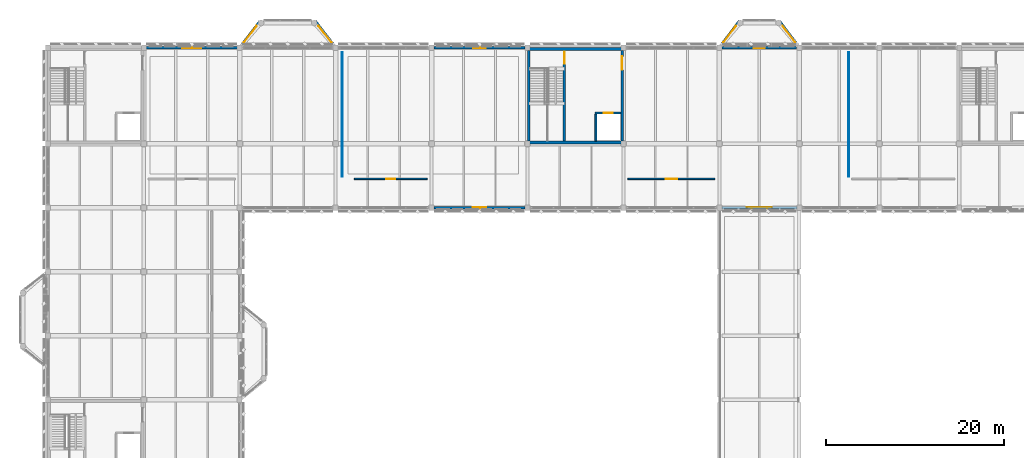
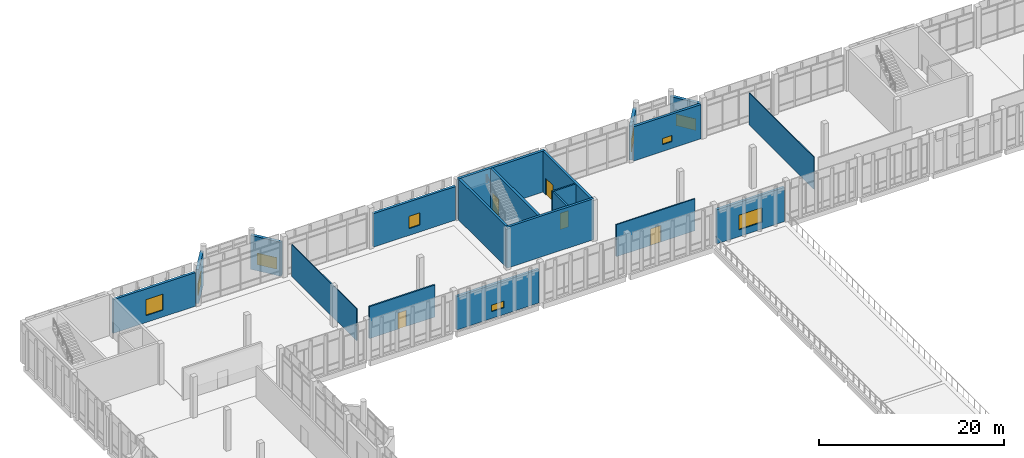
# One storey, part 159 of 180: 20 walls, 9 windows, 5 doors, 14 openings.
"""IFC4 building model written with IfcOpenShell, lengths in metres."""

from ifc_helpers import new_model, si_unit, direction, frame, frame_2d, origin, place, context, subcontext, project, spatial, rectangle, extrude, material, layer, layer_set, type_object, element, fill, save


model = new_model("IFC4")

# Units and contexts
model_context = context("Model", 3, precision=1e-05, world=origin(), true_north=direction((0.0, 1.0)))
body_context = subcontext(model_context, "Body", "Model", "MODEL_VIEW")
ifc_project = project(units=[si_unit("LENGTHUNIT", "METRE"), si_unit("AREAUNIT", "SQUARE_METRE"), si_unit("VOLUMEUNIT", "CUBIC_METRE"), si_unit("PLANEANGLEUNIT", "RADIAN"), si_unit("MASSUNIT", "GRAM", prefix="KILO")], contexts=[model_context])

# Site, building, storey
site_placement = place(None, origin())
site = spatial("IfcSite", under=ifc_project, at=site_placement, CompositionType="ELEMENT")
building_placement = place(site_placement, origin())
building = spatial("IfcBuilding", under=site, at=building_placement, Name="Lusvemor Sports Hall", CompositionType="ELEMENT")
storey_placement = place(building_placement, frame((0.0, 0.0, 5.39990234375)))
storey = spatial("IfcBuildingStorey", under=building, at=storey_placement, Name="L01", CompositionType="ELEMENT", Elevation=5.39990234375)

# Wall, opening, window
ifc_material_1 = material(Name="Emerald polychrome glazed ceramic cladding on Concrete C40/50 backing", Category="concrete")
ifc_layer_1 = layer(ifc_material_1, 0.364990234375)
ifc_layer_set_1 = layer_set([ifc_layer_1], Name="Emerald polychrome glazed ceramic cladding on Concrete C40/50 backing")
wall_type_1 = type_object("IfcWallType", Name="EW_WAVE_CER_365", PredefinedType="STANDARD", material=ifc_layer_set_1)
wall_1_placement = place(storey_placement, frame((21.746826171875, 115.389892578125, 0.0), z_axis=(0.0, 0.0, 1.0), x_axis=(0.612206385164, 0.790698009334, 0.0)))
wall_1 = element("IfcWall", 1, at=wall_1_placement, inside=storey, type_object=wall_type_1, Name="Art Nouveau Bow Wall EW-BOW-N1-L01-1", PredefinedType="STANDARD", context=body_context, shape_type="SweptSolid", body=[
    extrude(rectangle(XDim=3.560302734375, YDim=0.364990234375, at=frame_2d((1.7802734375, 0.0))), origin(), (0.0, 0.0, 1.0), 4.47998046875),
])
opening_1_placement = place(wall_1_placement, frame((0.56005859375, 0.0, 0.699951171875)))
opening_1 = element("IfcOpeningElement", 2, at=opening_1_placement, cuts=wall_1, Name="Opening WN21", PredefinedType="OPENING", context=body_context, shape_type="SweptSolid", body=[
    extrude(rectangle(XDim=2.320068359375, YDim=1.52001953125, at=frame_2d((1.16015625, 0.760009765625))), frame((0.0, 0.1826171875, 0.0), z_axis=(0.0, -1.0, 0.0), x_axis=(1.0, 0.0, 0.0)), (0.0, 0.0, 1.0), 0.364990234375),
])
ifc_material_2 = material(Name="Solar-control laminated double glazing", Category="glass")
window_type_1 = type_object("IfcWindowType", Name="WIN_21", PartitioningType="SINGLE_PANEL", PredefinedType="WINDOW", material=ifc_material_2)
window_1_placement = place(opening_1_placement, origin())
window_1 = element("IfcWindow", 3, at=window_1_placement, inside=storey, type_object=window_type_1, Name="Art Nouveau Bow Window BOW-N1 L01-1", OverallHeight=1.52001953125, OverallWidth=2.320068359375, PartitioningType="SINGLE_PANEL", PredefinedType="WINDOW", context=body_context, shape_type="SweptSolid", body=[
    extrude(rectangle(XDim=2.320068359375, YDim=1.52001953125, at=frame_2d((1.16015625, 0.760009765625))), frame((0.0, 0.030029296875, 0.0), z_axis=(0.0, -1.0, 0.0), x_axis=(1.0, 0.0, 0.0)), (0.0, 0.0, 1.0), 0.06005859375),
])
fill(opening_1, window_1)

wall_2_placement = place(storey_placement, frame((30.073486328125, 118.205078125, 0.0), z_axis=(0.0, 0.0, 1.0), x_axis=(0.612206385164, -0.790698009334, 0.0)))
wall_2 = element("IfcWall", 4, at=wall_2_placement, inside=storey, type_object=wall_type_1, Name="Art Nouveau Bow Wall EW-BOW-N1-L01-3", PredefinedType="STANDARD", context=body_context, shape_type="SweptSolid", body=[
    extrude(rectangle(XDim=3.560302734375, YDim=0.364990234375, at=frame_2d((1.7802734375, 0.0))), origin(), (0.0, 0.0, 1.0), 4.47998046875),
])
opening_2_placement = place(wall_2_placement, frame((0.679931640625, 0.0, 0.699951171875)))
opening_2 = element("IfcOpeningElement", 5, at=opening_2_placement, cuts=wall_2, Name="Opening WN21", PredefinedType="OPENING", context=body_context, shape_type="SweptSolid", body=[
    extrude(rectangle(XDim=2.320068359375, YDim=1.52001953125, at=frame_2d((1.16015625, 0.760009765625))), frame((0.0, 0.1826171875, 0.0), z_axis=(0.0, -1.0, 0.0), x_axis=(1.0, 0.0, 0.0)), (0.0, 0.0, 1.0), 0.364990234375),
])
window_2_placement = place(opening_2_placement, origin())
window_2 = element("IfcWindow", 6, at=window_2_placement, inside=storey, type_object=window_type_1, Name="Art Nouveau Bow Window BOW-N1 L01-3", OverallHeight=1.52001953125, OverallWidth=2.320068359375, PartitioningType="SINGLE_PANEL", PredefinedType="WINDOW", context=body_context, shape_type="SweptSolid", body=[
    extrude(rectangle(XDim=2.320068359375, YDim=1.52001953125, at=frame_2d((1.16015625, 0.760009765625))), frame((0.0, 0.030029296875, 0.0), z_axis=(0.0, -1.0, 0.0), x_axis=(1.0, 0.0, 0.0)), (0.0, 0.0, 1.0), 0.06005859375),
])
fill(opening_2, window_2)

wall_3_placement = place(storey_placement, frame((75.74462890625, 115.3916015625, 0.0), z_axis=(0.0, 0.0, 1.0), x_axis=(0.60248019286, 0.798133834148, 0.0)))
wall_3 = element("IfcWall", 7, at=wall_3_placement, inside=storey, type_object=wall_type_1, Name="Art Nouveau Bow Wall EW-BOW-N2-L01-1", PredefinedType="STANDARD", context=body_context, shape_type="SweptSolid", body=[
    extrude(rectangle(XDim=3.52392578125, YDim=0.364990234375, at=frame_2d((1.761962890625, 0.0))), origin(), (0.0, 0.0, 1.0), 4.47998046875),
])
opening_3_placement = place(wall_3_placement, frame((0.5419921875, 0.0, 0.699951171875)))
opening_3 = element("IfcOpeningElement", 8, at=opening_3_placement, cuts=wall_3, Name="Opening WN21", PredefinedType="OPENING", context=body_context, shape_type="SweptSolid", body=[
    extrude(rectangle(XDim=2.320068359375, YDim=1.52001953125, at=frame_2d((1.16015625, 0.760009765625))), frame((0.0, 0.1826171875, 0.0), z_axis=(0.0, -1.0, 0.0), x_axis=(1.0, 0.0, 0.0)), (0.0, 0.0, 1.0), 0.364990234375),
])
window_3_placement = place(opening_3_placement, origin())
window_3 = element("IfcWindow", 9, at=window_3_placement, inside=storey, type_object=window_type_1, Name="Art Nouveau Bow Window BOW-N2 L01-1", OverallHeight=1.52001953125, OverallWidth=2.320068359375, PartitioningType="SINGLE_PANEL", PredefinedType="WINDOW", context=body_context, shape_type="SweptSolid", body=[
    extrude(rectangle(XDim=2.320068359375, YDim=1.52001953125, at=frame_2d((1.16015625, 0.760009765625))), frame((0.0, 0.030029296875, 0.0), z_axis=(0.0, -1.0, 0.0), x_axis=(1.0, 0.0, 0.0)), (0.0, 0.0, 1.0), 0.06005859375),
])
fill(opening_3, window_3)

wall_4_placement = place(storey_placement, frame((82.332275390625, 118.2041015625, 0.0), z_axis=(0.0, 0.0, 1.0), x_axis=(0.60248019286, -0.798133834148, 0.0)))
wall_4 = element("IfcWall", 10, at=wall_4_placement, inside=storey, type_object=wall_type_1, Name="Art Nouveau Bow Wall EW-BOW-N2-L01-3", PredefinedType="STANDARD", context=body_context, shape_type="SweptSolid", body=[
    extrude(rectangle(XDim=3.52392578125, YDim=0.364990234375, at=frame_2d((1.761962890625, 0.0))), origin(), (0.0, 0.0, 1.0), 4.47998046875),
])
opening_4_placement = place(wall_4_placement, frame((0.662109375, 0.0, 0.699951171875)))
opening_4 = element("IfcOpeningElement", 11, at=opening_4_placement, cuts=wall_4, Name="Opening WN21", PredefinedType="OPENING", context=body_context, shape_type="SweptSolid", body=[
    extrude(rectangle(XDim=2.320068359375, YDim=1.52001953125, at=frame_2d((1.16015625, 0.760009765625))), frame((0.0, 0.1826171875, 0.0), z_axis=(0.0, -1.0, 0.0), x_axis=(1.0, 0.0, 0.0)), (0.0, 0.0, 1.0), 0.364990234375),
])
window_4_placement = place(opening_4_placement, origin())
window_4 = element("IfcWindow", 12, at=window_4_placement, inside=storey, type_object=window_type_1, Name="Art Nouveau Bow Window BOW-N2 L01-3", OverallHeight=1.52001953125, OverallWidth=2.320068359375, PartitioningType="SINGLE_PANEL", PredefinedType="WINDOW", context=body_context, shape_type="SweptSolid", body=[
    extrude(rectangle(XDim=2.320068359375, YDim=1.52001953125, at=frame_2d((1.16015625, 0.760009765625))), frame((0.0, 0.030029296875, 0.0), z_axis=(0.0, -1.0, 0.0), x_axis=(1.0, 0.0, 0.0)), (0.0, 0.0, 1.0), 0.06005859375),
])
fill(opening_4, window_4)

ifc_material_3 = material(Name="Warm terracotta Art Nouveau ceramic cladding on Concrete C40/50 backing", Category="masonry")
ifc_layer_2 = layer(ifc_material_3, 0.31494140625)
ifc_layer_set_2 = layer_set([ifc_layer_2], Name="Warm terracotta Art Nouveau ceramic cladding on Concrete C40/50 backing")
wall_type_2 = type_object("IfcWallType", Name="EW_WING_CAV_315", PredefinedType="STANDARD", material=ifc_layer_set_2)
wall_5_placement = place(storey_placement, frame((11.075927734375, 115.199951171875, 0.0), z_axis=(0.0, 0.0, 1.0), x_axis=(1.0, 0.0, 0.0)))
wall_5 = element("IfcWall", 13, at=wall_5_placement, inside=storey, type_object=wall_type_2, Name="Exterior Wall EW-L01-N-1-1", PredefinedType="STANDARD", context=body_context, shape_type="SweptSolid", body=[
    extrude(rectangle(XDim=10.248046875, YDim=0.31494140625, at=frame_2d((5.1240234375, 0.0))), origin(), (0.0, 0.0, 1.0), 4.425048828125),
])
opening_5_placement = place(wall_5_placement, frame((4.049072265625, 0.0, 0.89990234375)))
opening_5 = element("IfcOpeningElement", 14, at=opening_5_placement, cuts=wall_5, Name="Opening WN09", PredefinedType="OPENING", context=body_context, shape_type="SweptSolid", body=[
    extrude(rectangle(XDim=2.14990234375, YDim=2.1201171875, at=frame_2d((1.074951171875, 1.06005859375))), frame((0.0, 0.157470703125, 0.0), z_axis=(0.0, -1.0, 0.0), x_axis=(1.0, 0.0, 0.0)), (0.0, 0.0, 1.0), 0.31494140625),
])
ifc_material_4 = material(Name="Solar-control laminated double glazing", Category="glass")
window_type_2 = type_object("IfcWindowType", Name="WIN_09", PartitioningType="SINGLE_PANEL", PredefinedType="WINDOW", material=ifc_material_4)
window_5_placement = place(opening_5_placement, origin())
window_5 = element("IfcWindow", 15, at=window_5_placement, inside=storey, type_object=window_type_2, Name="Wing Window L01-N-1-1", OverallHeight=2.1201171875, OverallWidth=2.14990234375, PartitioningType="SINGLE_PANEL", PredefinedType="WINDOW", context=body_context, shape_type="SweptSolid", body=[
    extrude(rectangle(XDim=2.14990234375, YDim=2.1201171875, at=frame_2d((1.074951171875, 1.06005859375))), frame((0.0, 0.030029296875, 0.0), z_axis=(0.0, -1.0, 0.0), x_axis=(1.0, 0.0, 0.0)), (0.0, 0.0, 1.0), 0.06005859375),
])
fill(opening_5, window_5)

wall_6_placement = place(storey_placement, frame((43.47607421875, 115.199951171875, 0.0), z_axis=(0.0, 0.0, 1.0), x_axis=(1.0, 0.0, 0.0)))
wall_6 = element("IfcWall", 16, at=wall_6_placement, inside=storey, type_object=wall_type_2, Name="Exterior Wall EW-L01-N-1-4", PredefinedType="STANDARD", context=body_context, shape_type="SweptSolid", body=[
    extrude(rectangle(XDim=10.248046875, YDim=0.31494140625, at=frame_2d((5.1240234375, 0.0))), origin(), (0.0, 0.0, 1.0), 4.425048828125),
])
opening_6_placement = place(wall_6_placement, frame((4.4140625, 0.0, 0.89990234375)))
opening_6 = element("IfcOpeningElement", 17, at=opening_6_placement, cuts=wall_6, Name="Opening WN12", PredefinedType="OPENING", context=body_context, shape_type="SweptSolid", body=[
    extrude(rectangle(XDim=1.419921875, YDim=1.6201171875, at=frame_2d((0.7099609375, 0.81005859375))), frame((0.0, 0.157470703125, 0.0), z_axis=(0.0, -1.0, 0.0), x_axis=(1.0, 0.0, 0.0)), (0.0, 0.0, 1.0), 0.31494140625),
])
ifc_material_5 = material(Name="Solar-control laminated double glazing", Category="glass")
window_type_3 = type_object("IfcWindowType", Name="WIN_12", PartitioningType="SINGLE_PANEL", PredefinedType="WINDOW", material=ifc_material_5)
window_6_placement = place(opening_6_placement, origin())
window_6 = element("IfcWindow", 18, at=window_6_placement, inside=storey, type_object=window_type_3, Name="Wing Window L01-N-1-4", OverallHeight=1.6201171875, OverallWidth=1.419921875, PartitioningType="SINGLE_PANEL", PredefinedType="WINDOW", context=body_context, shape_type="SweptSolid", body=[
    extrude(rectangle(XDim=1.419921875, YDim=1.6201171875, at=frame_2d((0.7099609375, 0.81005859375))), frame((0.0, 0.030029296875, 0.0), z_axis=(0.0, -1.0, 0.0), x_axis=(1.0, 0.0, 0.0)), (0.0, 0.0, 1.0), 0.06005859375),
])
fill(opening_6, window_6)

wall_7_placement = place(storey_placement, frame((75.89990234375, 115.199951171875, 0.0), z_axis=(0.0, 0.0, 1.0), x_axis=(1.0, 0.0, 0.0)))
wall_7 = element("IfcWall", 19, at=wall_7_placement, inside=storey, type_object=wall_type_2, Name="Exterior Wall EW-L01-N-1-7", PredefinedType="STANDARD", context=body_context, shape_type="SweptSolid", body=[
    extrude(rectangle(XDim=8.400146484375, YDim=0.31494140625, at=frame_2d((4.2001953125, 0.0))), origin(), (0.0, 0.0, 1.0), 4.51513671875),
])
opening_7_placement = place(wall_7_placement, frame((3.580078125, 0.0, 0.89990234375)))
opening_7 = element("IfcOpeningElement", 20, at=opening_7_placement, cuts=wall_7, Name="Opening WN15", PredefinedType="OPENING", context=body_context, shape_type="SweptSolid", body=[
    extrude(rectangle(XDim=1.239990234375, YDim=0.820068359375, at=frame_2d((0.6201171875, 0.41015625))), frame((0.0, 0.157470703125, 0.0), z_axis=(0.0, -1.0, 0.0), x_axis=(1.0, 0.0, 0.0)), (0.0, 0.0, 1.0), 0.31494140625),
])
ifc_material_6 = material(Name="Solar-control laminated double glazing", Category="glass")
window_type_4 = type_object("IfcWindowType", Name="WIN_15", PartitioningType="SINGLE_PANEL", PredefinedType="WINDOW", material=ifc_material_6)
window_7_placement = place(opening_7_placement, origin())
window_7 = element("IfcWindow", 21, at=window_7_placement, inside=storey, type_object=window_type_4, Name="Wing Window L01-N-1-7", OverallHeight=0.820068359375, OverallWidth=1.239990234375, PartitioningType="SINGLE_PANEL", PredefinedType="WINDOW", context=body_context, shape_type="SweptSolid", body=[
    extrude(rectangle(XDim=1.239990234375, YDim=0.820068359375, at=frame_2d((0.6201171875, 0.41015625))), frame((0.0, 0.030029296875, 0.0), z_axis=(0.0, -1.0, 0.0), x_axis=(1.0, 0.0, 0.0)), (0.0, 0.0, 1.0), 0.06005859375),
])
fill(opening_7, window_7)

wall_8_placement = place(storey_placement, frame((53.72412109375, 97.199951171875, 0.0), z_axis=(0.0, 0.0, 1.0), x_axis=(-1.0, 0.0, 0.0)))
wall_8 = element("IfcWall", 22, at=wall_8_placement, inside=storey, type_object=wall_type_2, Name="Exterior Wall EW-L01-S-3-2", PredefinedType="STANDARD", context=body_context, shape_type="SweptSolid", body=[
    extrude(rectangle(XDim=10.248046875, YDim=0.31494140625, at=frame_2d((5.1240234375, 0.0))), origin(), (0.0, 0.0, 1.0), 4.425048828125),
])
opening_8_placement = place(wall_8_placement, frame((4.35400390625, 0.0, 0.89990234375)))
opening_8 = element("IfcOpeningElement", 23, at=opening_8_placement, cuts=wall_8, Name="Opening WN14", PredefinedType="OPENING", context=body_context, shape_type="SweptSolid", body=[
    extrude(rectangle(XDim=1.5400390625, YDim=0.860107421875, at=frame_2d((0.77001953125, 0.43017578125))), frame((0.0, 0.157470703125, 0.0), z_axis=(0.0, -1.0, 0.0), x_axis=(1.0, 0.0, 0.0)), (0.0, 0.0, 1.0), 0.31494140625),
])
ifc_material_7 = material(Name="Solar-control laminated double glazing", Category="glass")
window_type_5 = type_object("IfcWindowType", Name="WIN_14", PartitioningType="SINGLE_PANEL", PredefinedType="WINDOW", material=ifc_material_7)
window_8_placement = place(opening_8_placement, origin())
window_8 = element("IfcWindow", 24, at=window_8_placement, inside=storey, type_object=window_type_5, Name="Wing Window L01-S-3-2", OverallHeight=0.860107421875, OverallWidth=1.5400390625, PartitioningType="SINGLE_PANEL", PredefinedType="WINDOW", context=body_context, shape_type="SweptSolid", body=[
    extrude(rectangle(XDim=1.5400390625, YDim=0.860107421875, at=frame_2d((0.77001953125, 0.43017578125))), frame((0.0, 0.030029296875, 0.0), z_axis=(0.0, -1.0, 0.0), x_axis=(1.0, 0.0, 0.0)), (0.0, 0.0, 1.0), 0.06005859375),
])
fill(opening_8, window_8)

wall_9_placement = place(storey_placement, frame((84.323974609375, 97.199951171875, 0.0), z_axis=(0.0, 0.0, 1.0), x_axis=(-1.0, 0.0, 0.0)))
wall_9 = element("IfcWall", 25, at=wall_9_placement, inside=storey, type_object=wall_type_2, Name="Exterior Wall EW-L01-S-3-5", PredefinedType="STANDARD", context=body_context, shape_type="SweptSolid", body=[
    extrude(rectangle(XDim=8.447998046875, YDim=0.31494140625, at=frame_2d((4.22412109375, 0.0))), origin(), (0.0, 0.0, 1.0), 4.51513671875),
])
opening_9_placement = place(wall_9_placement, frame((2.803955078125, 0.0, 0.89990234375)))
opening_9 = element("IfcOpeningElement", 26, at=opening_9_placement, cuts=wall_9, Name="Opening WN17", PredefinedType="OPENING", context=body_context, shape_type="SweptSolid", body=[
    extrude(rectangle(XDim=2.840087890625, YDim=1.919921875, at=frame_2d((1.419921875, 0.9599609375))), frame((0.0, 0.157470703125, 0.0), z_axis=(0.0, -1.0, 0.0), x_axis=(1.0, 0.0, 0.0)), (0.0, 0.0, 1.0), 0.31494140625),
])
ifc_material_8 = material(Name="Solar-control laminated double glazing", Category="glass")
window_type_6 = type_object("IfcWindowType", Name="WIN_17", PartitioningType="SINGLE_PANEL", PredefinedType="WINDOW", material=ifc_material_8)
window_9_placement = place(opening_9_placement, origin())
window_9 = element("IfcWindow", 27, at=window_9_placement, inside=storey, type_object=window_type_6, Name="Wing Window L01-S-3-5", OverallHeight=1.919921875, OverallWidth=2.840087890625, PartitioningType="SINGLE_PANEL", PredefinedType="WINDOW", context=body_context, shape_type="SweptSolid", body=[
    extrude(rectangle(XDim=2.840087890625, YDim=1.919921875, at=frame_2d((1.419921875, 0.9599609375))), frame((0.0, 0.030029296875, 0.0), z_axis=(0.0, -1.0, 0.0), x_axis=(1.0, 0.0, 0.0)), (0.0, 0.0, 1.0), 0.06005859375),
])
fill(opening_9, window_9)

# Walls
ifc_material_9 = material(Name="Double-leaf acoustic gypsum board on metal studs")
ifc_layer_3 = layer(ifc_material_9, 0.10009765625)
ifc_layer_set_3 = layer_set([ifc_layer_3], Name="Double-leaf acoustic gypsum board on metal studs")
wall_type_3 = type_object("IfcWallType", Name="IW_PART_108", PredefinedType="STANDARD", material=ifc_layer_set_3)
for number, where, z_axis, x_axis, name in (
    (28, (33.14990234375, 100.699951171875, 0.0), (0.0, 0.0, 1.0), (0.0, 1.0, 0.0), "Partition IW-L01-CNNDIV-33"),
    (29, (90.14990234375, 100.699951171875, 0.0), (0.0, 0.0, 1.0), (0.0, 1.0, 0.0), "Partition IW-L01-CNNDIV-90"),
):
    element("IfcWall", number, at=place(storey_placement, frame(where, z_axis=z_axis, x_axis=x_axis)), inside=storey, type_object=wall_type_3, Name=name, PredefinedType="STANDARD", context=body_context, shape_type="SweptSolid", body=[
        extrude(rectangle(XDim=14.0, YDim=0.10009765625, at=frame_2d((7.0, 0.0))), origin(), (0.0, 0.0, 1.0), 4.22021484375),
    ])

# Wall, opening, door
ifc_material_10 = material(Name="Double-leaf acoustic gypsum board on metal studs")
ifc_layer_4 = layer(ifc_material_10, 0.14990234375)
ifc_layer_set_4 = layer_set([ifc_layer_4], Name="Double-leaf acoustic gypsum board on metal studs")
wall_type_4 = type_object("IfcWallType", Name="IW_PART_152", PredefinedType="STANDARD", material=ifc_layer_set_4)
wall_10_placement = place(storey_placement, frame((65.300048828125, 100.449951171875, 0.0), z_axis=(0.0, 0.0, 1.0), x_axis=(1.0, 0.0, 0.0)))
wall_10 = element("IfcWall", 30, at=wall_10_placement, inside=storey, type_object=wall_type_4, Name="Partition IW-L01-CNN-CLIN2", PredefinedType="STANDARD", context=body_context, shape_type="SweptSolid", body=[
    extrude(rectangle(XDim=9.800048828125, YDim=0.14990234375, at=frame_2d((4.89990234375, 0.0))), origin(), (0.0, 0.0, 1.0), 4.22021484375),
])
opening_10_placement = place(wall_10_placement, frame((4.27001953125, 0.0, 0.0)))
opening_10 = element("IfcOpeningElement", 31, at=opening_10_placement, cuts=wall_10, Name="Opening ID07", PredefinedType="OPENING", context=body_context, shape_type="SweptSolid", body=[
    extrude(rectangle(XDim=1.260009765625, YDim=2.199951171875, at=frame_2d((0.6298828125, 1.10009765625))), frame((0.0, 0.074951171875, 0.0), z_axis=(0.0, -1.0, 0.0), x_axis=(1.0, 0.0, 0.0)), (0.0, 0.0, 1.0), 0.14990234375),
])
ifc_material_11 = material(Name="Acoustic solid-core hardwood door leaf in steel frame", Category="steel")
door_type_1 = type_object("IfcDoorType", Name="IDR_CLINIC_126", OperationType="NOTDEFINED", PredefinedType="DOOR", material=ifc_material_11)
door_1_placement = place(opening_10_placement, origin())
door_1 = element("IfcDoor", 32, at=door_1_placement, inside=storey, type_object=door_type_1, Name="DR-181", OperationType="SINGLE_SWING_LEFT", OverallHeight=2.199951171875, OverallWidth=1.260009765625, PredefinedType="DOOR", context=body_context, shape_type="SweptSolid", body=[
    extrude(rectangle(XDim=1.260009765625, YDim=2.199951171875, at=frame_2d((0.6298828125, 1.10009765625))), frame((0.0, 0.02490234375, 0.0), z_axis=(0.0, -1.0, 0.0), x_axis=(1.0, 0.0, 0.0)), (0.0, 0.0, 1.0), 0.050048828125),
])
fill(opening_10, door_1)

ifc_material_12 = material(Name="Concrete C40/50", Category="concrete")
ifc_layer_5 = layer(ifc_material_12, 0.2099609375)
ifc_layer_set_5 = layer_set([ifc_layer_5], Name="Concrete C40/50")
wall_type_5 = type_object("IfcWallType", Name="IW_SHFT_212", PredefinedType="STANDARD", material=ifc_layer_set_5)
wall_11_placement = place(storey_placement, frame((61.590087890625, 107.85009765625, 0.0), z_axis=(0.0, 0.0, 1.0), x_axis=(1.0, 0.0, 0.0)))
wall_11 = element("IfcWall", 33, at=wall_11_placement, inside=storey, type_object=wall_type_5, Name="Lift LP-01 Shaft Front Wall (L01)", PredefinedType="STANDARD", context=body_context, shape_type="SweptSolid", body=[
    extrude(rectangle(XDim=2.909912109375, YDim=0.2099609375, at=frame_2d((1.455078125, 0.0))), origin(), (0.0, 0.0, 1.0), 5.400146484375),
])
opening_11_placement = place(wall_11_placement, frame((0.989990234375, 0.0, 0.0)))
opening_11 = element("IfcOpeningElement", 34, at=opening_11_placement, cuts=wall_11, Name="Opening LD-02", PredefinedType="OPENING", context=body_context, shape_type="SweptSolid", body=[
    extrude(rectangle(XDim=1.0400390625, YDim=2.159912109375, at=frame_2d((0.52001953125, 1.080078125))), frame((0.0, 0.10498046875, 0.0), z_axis=(0.0, -1.0, 0.0), x_axis=(1.0, 0.0, 0.0)), (0.0, 0.0, 1.0), 0.2099609375),
])
ifc_material_13 = material(Name="Brushed stainless-steel sliding lift landing door", Category="steel")
door_type_2 = type_object("IfcDoorType", Name="LIFT_DOOR_PAX_104", OperationType="NOTDEFINED", PredefinedType="DOOR", material=ifc_material_13)
door_2_placement = place(opening_11_placement, origin())
door_2 = element("IfcDoor", 35, at=door_2_placement, inside=storey, type_object=door_type_2, Name="DR-053", OperationType="SLIDING_TO_LEFT", OverallHeight=2.159912109375, OverallWidth=1.0400390625, PredefinedType="DOOR", context=body_context, shape_type="SweptSolid", body=[
    extrude(rectangle(XDim=1.0400390625, YDim=2.159912109375, at=frame_2d((0.52001953125, 1.080078125))), frame((0.0, 0.02490234375, 0.0), z_axis=(0.0, -1.0, 0.0), x_axis=(1.0, 0.0, 0.0)), (0.0, 0.0, 1.0), 0.050048828125),
])
fill(opening_11, door_2)

# Wall
wall_12_placement = place(storey_placement, frame((61.695068359375, 104.699951171875, 0.0), z_axis=(0.0, 0.0, 1.0), x_axis=(0.0, 1.0, 0.0)))
element("IfcWall", 36, at=wall_12_placement, inside=storey, type_object=wall_type_5, Name="Lift LP-01 Shaft Side Wall (L01)", PredefinedType="STANDARD", context=body_context, shape_type="SweptSolid", body=[
    extrude(rectangle(XDim=3.045166015625, YDim=0.2099609375, at=frame_2d((1.5224609375, 0.0))), origin(), (0.0, 0.0, 1.0), 5.400146484375),
])

# Wall, opening, door
ifc_material_14 = material(Name="Moisture-resistant tiled plumbing service wall")
ifc_layer_6 = layer(ifc_material_14, 0.18994140625)
ifc_layer_set_6 = layer_set([ifc_layer_6], Name="Moisture-resistant tiled plumbing service wall")
wall_type_6 = type_object("IfcWallType", Name="PW_WET_194", PredefinedType="PLUMBINGWALL", material=ifc_layer_set_6)
wall_13_placement = place(storey_placement, frame((34.5, 100.449951171875, 0.0), z_axis=(0.0, 0.0, 1.0), x_axis=(1.0, 0.0, 0.0)))
wall_13 = element("IfcWall", 37, at=wall_13_placement, inside=storey, type_object=wall_type_6, Name="Partition IW-L01-CNN-CHGN2", PredefinedType="PLUMBINGWALL", context=body_context, shape_type="SweptSolid", body=[
    extrude(rectangle(XDim=8.199951171875, YDim=0.18994140625, at=frame_2d((4.10009765625, 0.0))), origin(), (0.0, 0.0, 1.0), 4.22021484375),
])
opening_12_placement = place(wall_13_placement, frame((3.570068359375, 0.0, 0.0)))
opening_12 = element("IfcOpeningElement", 38, at=opening_12_placement, cuts=wall_13, Name="Opening ID10", PredefinedType="OPENING", context=body_context, shape_type="SweptSolid", body=[
    extrude(rectangle(XDim=1.06005859375, YDim=2.139892578125, at=frame_2d((0.530029296875, 1.06982421875))), frame((0.0, 0.094970703125, 0.0), z_axis=(0.0, -1.0, 0.0), x_axis=(1.0, 0.0, 0.0)), (0.0, 0.0, 1.0), 0.18994140625),
])
ifc_material_15 = material(Name="Acoustic solid-core hardwood door leaf in steel frame", Category="steel")
door_type_3 = type_object("IfcDoorType", Name="IDR_CHG_106", OperationType="NOTDEFINED", PredefinedType="DOOR", material=ifc_material_15)
door_3_placement = place(opening_12_placement, origin())
door_3 = element("IfcDoor", 39, at=door_3_placement, inside=storey, type_object=door_type_3, Name="DR-180", OperationType="SINGLE_SWING_RIGHT", OverallHeight=2.139892578125, OverallWidth=1.06005859375, PredefinedType="DOOR", context=body_context, shape_type="SweptSolid", body=[
    extrude(rectangle(XDim=1.06005859375, YDim=2.139892578125, at=frame_2d((0.530029296875, 1.06982421875))), frame((0.0, 0.02490234375, 0.0), z_axis=(0.0, -1.0, 0.0), x_axis=(1.0, 0.0, 0.0)), (0.0, 0.0, 1.0), 0.050048828125),
])
fill(opening_12, door_3)

# Walls
ifc_material_16 = material(Name="Concrete C40/50", Category="concrete")
ifc_layer_7 = layer(ifc_material_16, 0.300048828125)
ifc_layer_set_7 = layer_set([ifc_layer_7], Name="Concrete C40/50")
wall_type_7 = type_object("IfcWallType", Name="WALL_CORE_300_INT", PredefinedType="SHEAR", material=ifc_layer_set_7)
wall_14_placement = place(storey_placement, frame((64.800048828125, 104.550048828125, 0.0), z_axis=(0.0, 0.0, 1.0), x_axis=(-1.0, 0.0, 0.0)))
element("IfcWall", 40, at=wall_14_placement, inside=storey, type_object=wall_type_7, Name="Core C2 North-West-Mid Shear Wall S (L01)", PredefinedType="SHEAR", context=body_context, shape_type="SweptSolid", body=[
    extrude(rectangle(XDim=10.800048828125, YDim=0.300048828125, at=frame_2d((5.39990234375, 0.0))), origin(), (0.0, 0.0, 1.0), 5.400146484375),
])
wall_15_placement = place(storey_placement, frame((54.14990234375, 104.699951171875, 0.0), z_axis=(0.0, 0.0, 1.0), x_axis=(0.0, 1.0, 0.0)))
element("IfcWall", 41, at=wall_15_placement, inside=storey, type_object=wall_type_7, Name="Core C2 North-West-Mid Shear Wall W (L01)", PredefinedType="SHEAR", context=body_context, shape_type="SweptSolid", body=[
    extrude(rectangle(XDim=10.199951171875, YDim=0.300048828125, at=frame_2d((5.10009765625, 0.0))), origin(), (0.0, 0.0, 1.0), 5.400146484375),
])

# Wall, opening, door
wall_16_placement = place(storey_placement, frame((64.64990234375, 114.89990234375, 0.0), z_axis=(0.0, 0.0, 1.0), x_axis=(0.0, -1.0, 0.0)))
wall_16 = element("IfcWall", 42, at=wall_16_placement, inside=storey, type_object=wall_type_7, Name="Core C2 North-West-Mid Shear Wall E (L01)", PredefinedType="SHEAR", context=body_context, shape_type="SweptSolid", body=[
    extrude(rectangle(XDim=10.199951171875, YDim=0.300048828125, at=frame_2d((5.10009765625, 0.0))), origin(), (0.0, 0.0, 1.0), 5.400146484375),
])
opening_13_placement = place(wall_16_placement, frame((0.64990234375, 0.0, 0.0)))
opening_13 = element("IfcOpeningElement", 43, at=opening_13_placement, cuts=wall_16, Name="Opening DR-FD60-01", PredefinedType="OPENING", context=body_context, shape_type="SweptSolid", body=[
    extrude(rectangle(XDim=1.5400390625, YDim=2.219970703125, at=frame_2d((0.77001953125, 1.10986328125))), frame((0.0, 0.14990234375, 0.0), z_axis=(0.0, -1.0, 0.0), x_axis=(1.0, 0.0, 0.0)), (0.0, 0.0, 1.0), 0.300048828125),
])
ifc_material_17 = material(Name="Fire-rated insulated painted steel door assembly", Category="steel")
door_type_4 = type_object("IfcDoorType", Name="IDR_LOBBY_FD60_154", OperationType="NOTDEFINED", PredefinedType="DOOR", material=ifc_material_17)
door_4_placement = place(opening_13_placement, origin())
door_4 = element("IfcDoor", 44, at=door_4_placement, inside=storey, type_object=door_type_4, Name="DR-060", OperationType="SINGLE_SWING_RIGHT", OverallHeight=2.219970703125, OverallWidth=1.5400390625, PredefinedType="DOOR", context=body_context, shape_type="SweptSolid", body=[
    extrude(rectangle(XDim=1.5400390625, YDim=2.219970703125, at=frame_2d((0.77001953125, 1.10986328125))), frame((0.0, 0.02490234375, 0.0), z_axis=(0.0, -1.0, 0.0), x_axis=(1.0, 0.0, 0.0)), (0.0, 0.0, 1.0), 0.050048828125),
])
fill(opening_13, door_4)

wall_17_placement = place(storey_placement, frame((58.14990234375, 104.699951171875, 0.0), z_axis=(0.0, 0.0, 1.0), x_axis=(0.0, 1.0, 0.0)))
wall_17 = element("IfcWall", 45, at=wall_17_placement, inside=storey, type_object=wall_type_7, Name="Core C2 North-West-Mid Shear Wall M (L01)", PredefinedType="SHEAR", context=body_context, shape_type="SweptSolid", body=[
    extrude(rectangle(XDim=10.199951171875, YDim=0.300048828125, at=frame_2d((5.10009765625, 0.0))), origin(), (0.0, 0.0, 1.0), 5.400146484375),
])
opening_14_placement = place(wall_17_placement, frame((8.7099609375, 0.0, 0.0)))
opening_14 = element("IfcOpeningElement", 46, at=opening_14_placement, cuts=wall_17, Name="Opening DR-FD90-02", PredefinedType="OPENING", context=body_context, shape_type="SweptSolid", body=[
    extrude(rectangle(XDim=1.340087890625, YDim=2.179931640625, at=frame_2d((0.669921875, 1.08984375))), frame((0.0, 0.14990234375, 0.0), z_axis=(0.0, -1.0, 0.0), x_axis=(1.0, 0.0, 0.0)), (0.0, 0.0, 1.0), 0.300048828125),
])
ifc_material_18 = material(Name="Fire-rated insulated painted steel door assembly", Category="steel")
door_type_5 = type_object("IfcDoorType", Name="IDR_STAIR_FD90_134", OperationType="NOTDEFINED", PredefinedType="DOOR", material=ifc_material_18)
door_5_placement = place(opening_14_placement, origin())
door_5 = element("IfcDoor", 47, at=door_5_placement, inside=storey, type_object=door_type_5, Name="DR-059", OperationType="SINGLE_SWING_LEFT", OverallHeight=2.179931640625, OverallWidth=1.340087890625, PredefinedType="DOOR", context=body_context, shape_type="SweptSolid", body=[
    extrude(rectangle(XDim=1.340087890625, YDim=2.179931640625, at=frame_2d((0.669921875, 1.08984375))), frame((0.0, 0.02490234375, 0.0), z_axis=(0.0, -1.0, 0.0), x_axis=(1.0, 0.0, 0.0)), (0.0, 0.0, 1.0), 0.050048828125),
])
fill(opening_14, door_5)

# Wall
ifc_material_19 = material(Name="Concrete C40/50", Category="concrete")
ifc_layer_8 = layer(ifc_material_19, 0.324951171875)
ifc_layer_set_8 = layer_set([ifc_layer_8], Name="Concrete C40/50")
wall_type_8 = type_object("IfcWallType", Name="WALL_CORE_325_EXT", PredefinedType="SHEAR", material=ifc_layer_set_8)
wall_18_placement = place(storey_placement, frame((54.0, 115.050048828125, 0.0), z_axis=(0.0, 0.0, 1.0), x_axis=(1.0, 0.0, 0.0)))
element("IfcWall", 48, at=wall_18_placement, inside=storey, type_object=wall_type_8, Name="Core C2 North-West-Mid Shear Wall N (L01)", PredefinedType="SHEAR", context=body_context, shape_type="SweptSolid", body=[
    extrude(rectangle(XDim=10.800048828125, YDim=0.324951171875, at=frame_2d((5.39990234375, 0.0))), origin(), (0.0, 0.0, 1.0), 5.400146484375),
])

save(model, "model.ifc")
